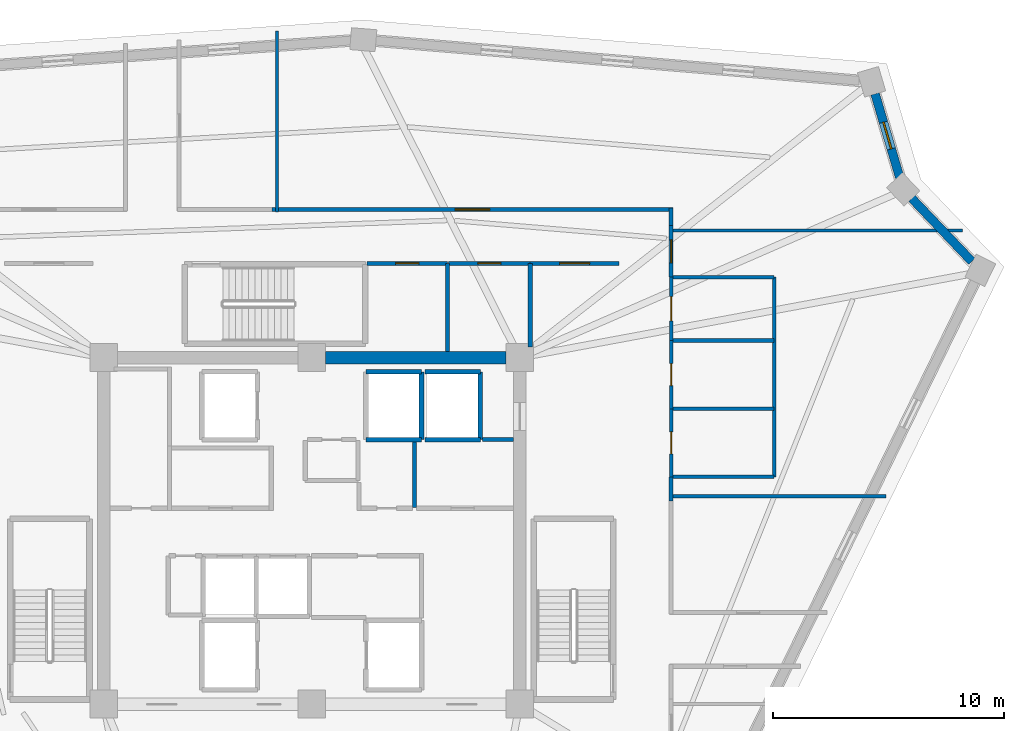
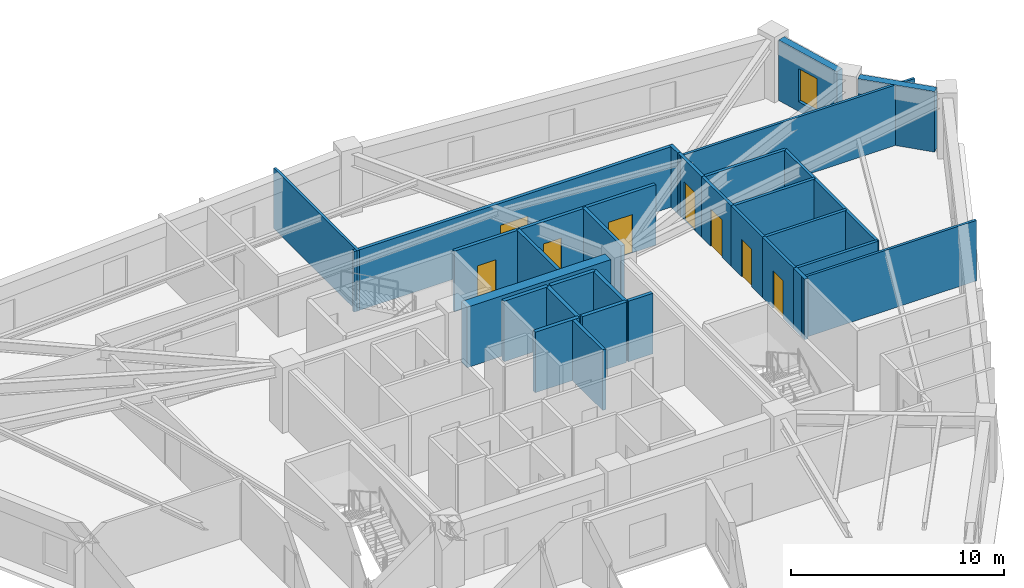
# One storey, part 6 of 8: 31 walls, 8 doors, 1 window, 9 openings.
"""IFC4 building model written with IfcOpenShell, lengths in metres."""

from ifc_helpers import new_model, si_unit, direction, frame, frame_2d, origin, place, context, subcontext, project, spatial, rectangle, extrude, source, transform, mapped, material, layer, layer_set, type_object, element, fill, save


model = new_model("IFC4")

# Units and contexts
model_context = context("Model", 3, precision=1e-05, world=origin(), true_north=direction((0.0, 1.0)))
body_context = subcontext(model_context, "Body", "Model", "MODEL_VIEW")
ifc_project = project(units=[si_unit("LENGTHUNIT", "METRE"), si_unit("AREAUNIT", "SQUARE_METRE"), si_unit("VOLUMEUNIT", "CUBIC_METRE"), si_unit("PLANEANGLEUNIT", "RADIAN"), si_unit("MASSUNIT", "GRAM", prefix="KILO")], contexts=[model_context])

# Site, building, storey
site_placement = place(None, origin())
site = spatial("IfcSite", under=ifc_project, at=site_placement, CompositionType="ELEMENT")
building_placement = place(site_placement, origin())
building = spatial("IfcBuilding", under=site, at=building_placement, Name="Liaohun Quay Tower", CompositionType="ELEMENT")
storey_placement = place(building_placement, frame((0.0, 0.0, 347.25)))
storey = spatial("IfcBuildingStorey", under=building, at=storey_placement, Name="L90", CompositionType="ELEMENT", Elevation=347.25)

# Walls
ifc_material_1 = material(Name="Concrete C50", Category="concrete")
ifc_layer_1 = layer(ifc_material_1, 0.550048828125, Name="Concrete C50", Category="concrete")
ifc_layer_set_1 = layer_set([ifc_layer_1], Name="Concrete C50")
wall_type_1 = type_object("IfcWallType", Name="WAL-COR-Z4", PredefinedType="SHEAR", material=ifc_layer_set_1)
wall_1_placement = place(storey_placement, frame((60.60009765625, 61.5, 0.0), z_axis=(0.0, 0.0, 1.0), x_axis=(1.0, 0.0, 0.0)))
element("IfcWall", 1, at=wall_1_placement, inside=storey, type_object=wall_type_1, Name="L90 Central Core Shear Wall N-E", PredefinedType="SHEAR", context=body_context, shape_type="SweptSolid", body=[
    extrude(rectangle(XDim=7.7998046875, YDim=0.550048828125, at=frame_2d((3.89990234375, 0.0))), origin(), (0.0, 0.0, 1.0), 3.469970703125),
])
ifc_material_2 = material(Name="Precast concrete C50 insulated sandwich", Category="concrete")
ifc_layer_2 = layer(ifc_material_2, 0.3798828125, Name="Precast concrete C50 insulated sandwich", Category="concrete")
ifc_layer_set_2 = layer_set([ifc_layer_2], Name="Precast concrete C50 insulated sandwich")
wall_type_2 = type_object("IfcWallType", Name="WAL-EXT-Z34", PredefinedType="SOLIDWALL", material=ifc_layer_set_2)
wall_2_placement = place(storey_placement, frame((88.573974609375, 65.6669921875, 0.0), z_axis=(0.0, 0.0, 1.0), x_axis=(-0.689475358223, 0.72430914008, 0.0)))
element("IfcWall", 2, at=wall_2_placement, inside=storey, type_object=wall_type_2, Name="L90 Brutalist Precast Pier Wall 04", PredefinedType="SOLIDWALL", context=body_context, shape_type="SweptSolid", body=[
    extrude(rectangle(XDim=3.763671875, YDim=0.3798828125, at=frame_2d((1.8818359375, 0.0))), origin(), (0.0, 0.0, 1.0), 3.469970703125),
])

# Wall, opening, window
wall_3_placement = place(storey_placement, frame((85.4541015625, 69.302001953125, 0.0), z_axis=(0.0, 0.0, 1.0), x_axis=(-0.282670922676, 0.95921694599, 0.0)))
wall_3 = element("IfcWall", 3, at=wall_3_placement, inside=storey, type_object=wall_type_2, Name="L90 Brutalist Precast Pier Wall 05", PredefinedType="SOLIDWALL", context=body_context, shape_type="SweptSolid", body=[
    extrude(rectangle(XDim=3.771728515625, YDim=0.3798828125, at=frame_2d((1.8857421875, 0.0))), origin(), (0.0, 0.0, 1.0), 3.469970703125),
])
shared_shape_1 = source(origin(), body_context, "Body", "SweptSolid", [
    extrude(rectangle(XDim=1.199951171875, YDim=1.89990234375, at=frame_2d((0.60009765625, 0.949951171875))), frame((0.0, 0.199951171875, 0.0), z_axis=(0.0, -1.0, 0.0), x_axis=(1.0, 0.0, 0.0)), (0.0, 0.0, 1.0), 0.39990234375),
])
opening_1_placement = place(wall_3_placement, frame((1.285888671875, 0.0, 0.550048828125)))
opening_1 = element("IfcOpeningElement", 4, at=opening_1_placement, cuts=wall_3, Name="Opening W05", PredefinedType="OPENING", context=body_context, shape_type="MappedRepresentation", body=[
    mapped(shared_shape_1, transform((0.0, 0.0, 0.0), x_axis=(1.0, 0.0, 0.0), y_axis=(0.0, 1.0, 0.0), z_axis=(0.0, 0.0, 1.0), scale=1.0)),
])
ifc_material_3 = material(Name="Triple Low-E corner notch glazing", Category="glass")
window_type = type_object("IfcWindowType", Name="WIN-NOTCH", PartitioningType="SINGLE_PANEL", PredefinedType="WINDOW", material=ifc_material_3)
shared_shape_2 = source(origin(), body_context, "Body", "SweptSolid", [
    extrude(rectangle(XDim=1.199951171875, YDim=1.89990234375, at=frame_2d((0.60009765625, 0.949951171875))), frame((0.0, 0.030029296875, 0.0), z_axis=(0.0, -1.0, 0.0), x_axis=(1.0, 0.0, 0.0)), (0.0, 0.0, 1.0), 0.06005859375),
])
window_placement = place(opening_1_placement, origin())
window = element("IfcWindow", 5, at=window_placement, inside=storey, type_object=window_type, Name="L90 Corner Notch Window W05-05", OverallHeight=1.89990234375, OverallWidth=1.199951171875, PartitioningType="SINGLE_PANEL", PredefinedType="WINDOW", context=body_context, shape_type="MappedRepresentation", body=[
    mapped(shared_shape_2, transform((0.0, 0.0, 0.0), x_axis=(1.0, 0.0, 0.0), y_axis=(0.0, 1.0, 0.0), z_axis=(0.0, 0.0, 1.0), scale=1.0)),
])
fill(opening_1, window)

# Wall, opening, door
ifc_material_4 = material(Name="Autoclaved aerated concrete blockwork", Category="masonry")
ifc_layer_3 = layer(ifc_material_4, 0.179931640625, Name="Autoclaved aerated concrete blockwork", Category="masonry")
ifc_layer_set_3 = layer_set([ifc_layer_3], Name="Autoclaved aerated concrete blockwork")
wall_type_3 = type_object("IfcWallType", Name="WAL-PRT-COR", PredefinedType="PARTITIONING", material=ifc_layer_set_3)
wall_4_placement = place(storey_placement, frame((62.389892578125, 65.580078125, 0.0), z_axis=(0.0, 0.0, 1.0), x_axis=(1.0, 0.0, 0.0)))
wall_4 = element("IfcWall", 6, at=wall_4_placement, inside=storey, type_object=wall_type_3, Name="L90 Interior Partition Wall 011", PredefinedType="PARTITIONING", context=body_context, shape_type="SweptSolid", body=[
    extrude(rectangle(XDim=3.489990234375, YDim=0.179931640625, at=frame_2d((1.7451171875, 0.0))), origin(), (0.0, 0.0, 1.0), 3.469970703125),
])
shared_shape_3 = source(origin(), body_context, "Body", "SweptSolid", [
    extrude(rectangle(XDim=1.0, YDim=2.199951171875, at=frame_2d((0.5, 1.10009765625))), frame((0.0, 0.099853515625, 0.0), z_axis=(0.0, -1.0, 0.0), x_axis=(1.0, 0.0, 0.0)), (0.0, 0.0, 1.0), 0.199951171875),
])
opening_2_placement = place(wall_4_placement, frame((1.2451171875, 0.0, 0.0)))
opening_2 = element("IfcOpeningElement", 7, at=opening_2_placement, cuts=wall_4, Name="Opening OD1", PredefinedType="OPENING", context=body_context, shape_type="MappedRepresentation", body=[
    mapped(shared_shape_3, transform((0.0, 0.0, 0.0), x_axis=(1.0, 0.0, 0.0), y_axis=(0.0, 1.0, 0.0), z_axis=(0.0, 0.0, 1.0), scale=1.0)),
])
ifc_material_5 = material(Name="Solid-core oak veneer timber leaf in steel frame", Category="steel")
door_type_1 = type_object("IfcDoorType", Name="DOR-OFF-1000", OperationType="NOTDEFINED", PredefinedType="DOOR", material=ifc_material_5)
shared_shape_4 = source(origin(), body_context, "Body", "SweptSolid", [
    extrude(rectangle(XDim=1.0, YDim=2.199951171875, at=frame_2d((0.5, 1.10009765625))), frame((0.0, 0.02490234375, 0.0), z_axis=(0.0, -1.0, 0.0), x_axis=(1.0, 0.0, 0.0)), (0.0, 0.0, 1.0), 0.050048828125),
])
door_1_placement = place(opening_2_placement, origin())
door_1 = element("IfcDoor", 8, at=door_1_placement, inside=storey, type_object=door_type_1, Name="L90 North-East Archive Store Door", OperationType="SINGLE_SWING_RIGHT", OverallHeight=2.199951171875, OverallWidth=1.0, PredefinedType="DOOR", context=body_context, shape_type="MappedRepresentation", body=[
    mapped(shared_shape_4, transform((0.0, 0.0, 0.0), x_axis=(1.0, 0.0, 0.0), y_axis=(0.0, 1.0, 0.0), z_axis=(0.0, 0.0, 1.0), scale=1.0)),
])
fill(opening_2, door_1)

wall_5_placement = place(storey_placement, frame((65.919921875, 65.580078125, 0.0), z_axis=(0.0, 0.0, 1.0), x_axis=(1.0, 0.0, 0.0)))
wall_5 = element("IfcWall", 9, at=wall_5_placement, inside=storey, type_object=wall_type_3, Name="L90 Interior Partition Wall 012", PredefinedType="PARTITIONING", context=body_context, shape_type="SweptSolid", body=[
    extrude(rectangle(XDim=3.5400390625, YDim=0.179931640625, at=frame_2d((1.77001953125, 0.0))), origin(), (0.0, 0.0, 1.0), 3.469970703125),
])
opening_3_placement = place(wall_5_placement, frame((1.27001953125, 0.0, 0.0)))
opening_3 = element("IfcOpeningElement", 10, at=opening_3_placement, cuts=wall_5, Name="Opening OD1", PredefinedType="OPENING", context=body_context, shape_type="MappedRepresentation", body=[
    mapped(shared_shape_3, transform((0.0, 0.0, 0.0), x_axis=(1.0, 0.0, 0.0), y_axis=(0.0, 1.0, 0.0), z_axis=(0.0, 0.0, 1.0), scale=1.0)),
])
door_2_placement = place(opening_3_placement, origin())
door_2 = element("IfcDoor", 11, at=door_2_placement, inside=storey, type_object=door_type_1, Name="L90 North-East Pantry Room Door", OperationType="SINGLE_SWING_LEFT", OverallHeight=2.199951171875, OverallWidth=1.0, PredefinedType="DOOR", context=body_context, shape_type="MappedRepresentation", body=[
    mapped(shared_shape_4, transform((0.0, 0.0, 0.0), x_axis=(1.0, 0.0, 0.0), y_axis=(0.0, 1.0, 0.0), z_axis=(0.0, 0.0, 1.0), scale=1.0)),
])
fill(opening_3, door_2)

wall_6_placement = place(storey_placement, frame((69.4599609375, 65.580078125, 0.0), z_axis=(0.0, 0.0, 1.0), x_axis=(1.0, 0.0, 0.0)))
wall_6 = element("IfcWall", 12, at=wall_6_placement, inside=storey, type_object=wall_type_3, Name="L90 Interior Partition Wall 014", PredefinedType="PARTITIONING", context=body_context, shape_type="SweptSolid", body=[
    extrude(rectangle(XDim=3.840087890625, YDim=0.179931640625, at=frame_2d((1.919921875, 0.0))), origin(), (0.0, 0.0, 1.0), 3.469970703125),
])
shared_shape_5 = source(origin(), body_context, "Body", "SweptSolid", [
    extrude(rectangle(XDim=1.300048828125, YDim=2.199951171875, at=frame_2d((0.64990234375, 1.10009765625))), frame((0.0, 0.099853515625, 0.0), z_axis=(0.0, -1.0, 0.0), x_axis=(1.0, 0.0, 0.0)), (0.0, 0.0, 1.0), 0.199951171875),
])
opening_4_placement = place(wall_6_placement, frame((1.27001953125, 0.0, 0.0)))
opening_4 = element("IfcOpeningElement", 13, at=opening_4_placement, cuts=wall_6, Name="Opening FD1", PredefinedType="OPENING", context=body_context, shape_type="MappedRepresentation", body=[
    mapped(shared_shape_5, transform((0.0, 0.0, 0.0), x_axis=(1.0, 0.0, 0.0), y_axis=(0.0, 1.0, 0.0), z_axis=(0.0, 0.0, 1.0), scale=1.0)),
])
ifc_material_6 = material(Name="Galvanised steel smokeproof fire door", Category="steel")
door_type_2 = type_object("IfcDoorType", Name="DOR-FFL-1300", OperationType="NOTDEFINED", PredefinedType="DOOR", material=ifc_material_6)
shared_shape_6 = source(origin(), body_context, "Body", "SweptSolid", [
    extrude(rectangle(XDim=1.300048828125, YDim=2.199951171875, at=frame_2d((0.64990234375, 1.10009765625))), frame((0.0, 0.02490234375, 0.0), z_axis=(0.0, -1.0, 0.0), x_axis=(1.0, 0.0, 0.0)), (0.0, 0.0, 1.0), 0.050048828125),
])
door_3_placement = place(opening_4_placement, origin())
door_3 = element("IfcDoor", 14, at=door_3_placement, inside=storey, type_object=door_type_2, Name="L90 East Core Vestibule Door", OperationType="SINGLE_SWING_LEFT", OverallHeight=2.199951171875, OverallWidth=1.300048828125, PredefinedType="DOOR", context=body_context, shape_type="MappedRepresentation", body=[
    mapped(shared_shape_6, transform((0.0, 0.0, 0.0), x_axis=(1.0, 0.0, 0.0), y_axis=(0.0, 1.0, 0.0), z_axis=(0.0, 0.0, 1.0), scale=1.0)),
])
fill(opening_4, door_3)

wall_7_placement = place(storey_placement, frame((75.56005859375, 67.215087890625, 0.0), z_axis=(0.0, 0.0, 1.0), x_axis=(0.0, -1.0, 0.0)))
wall_7 = element("IfcWall", 15, at=wall_7_placement, inside=storey, type_object=wall_type_3, Name="L90 Interior Partition Wall 015", PredefinedType="PARTITIONING", context=body_context, shape_type="SweptSolid", body=[
    extrude(rectangle(XDim=2.235107421875, YDim=0.179931640625, at=frame_2d((1.11767578125, 0.0))), origin(), (0.0, 0.0, 1.0), 3.469970703125),
])
opening_5_placement = place(wall_7_placement, frame((0.616943359375, 0.0, 0.0)))
opening_5 = element("IfcOpeningElement", 16, at=opening_5_placement, cuts=wall_7, Name="Opening OD1", PredefinedType="OPENING", context=body_context, shape_type="MappedRepresentation", body=[
    mapped(shared_shape_3, transform((0.0, 0.0, 0.0), x_axis=(1.0, 0.0, 0.0), y_axis=(0.0, 1.0, 0.0), z_axis=(0.0, 0.0, 1.0), scale=1.0)),
])
door_4_placement = place(opening_5_placement, origin())
door_4 = element("IfcDoor", 17, at=door_4_placement, inside=storey, type_object=door_type_1, Name="L90 Client Collaboration Lounge 01 Door", OperationType="SINGLE_SWING_RIGHT", OverallHeight=2.199951171875, OverallWidth=1.0, PredefinedType="DOOR", context=body_context, shape_type="MappedRepresentation", body=[
    mapped(shared_shape_4, transform((0.0, 0.0, 0.0), x_axis=(1.0, 0.0, 0.0), y_axis=(0.0, 1.0, 0.0), z_axis=(0.0, 0.0, 1.0), scale=1.0)),
])
fill(opening_5, door_4)

wall_8_placement = place(storey_placement, frame((58.284912109375, 67.909912109375, 0.0), z_axis=(0.0, 0.0, 1.0), x_axis=(1.0, 0.0, 0.0)))
wall_8 = element("IfcWall", 18, at=wall_8_placement, inside=storey, type_object=wall_type_3, Name="L90 Interior Partition Wall 016", PredefinedType="PARTITIONING", context=body_context, shape_type="SweptSolid", body=[
    extrude(rectangle(XDim=17.344970703125, YDim=0.179931640625, at=frame_2d((8.67236328125, 0.0))), origin(), (0.0, 0.0, 1.0), 3.469970703125),
])
shared_shape_7 = source(origin(), body_context, "Body", "SweptSolid", [
    extrude(rectangle(XDim=1.5, YDim=2.199951171875, at=frame_2d((0.75, 1.10009765625))), frame((0.0, 0.099853515625, 0.0), z_axis=(0.0, -1.0, 0.0), x_axis=(1.0, 0.0, 0.0)), (0.0, 0.0, 1.0), 0.199951171875),
])
opening_6_placement = place(wall_8_placement, frame((7.922119140625, 0.0, 0.0)))
opening_6 = element("IfcOpeningElement", 19, at=opening_6_placement, cuts=wall_8, Name="Opening OD2", PredefinedType="OPENING", context=body_context, shape_type="MappedRepresentation", body=[
    mapped(shared_shape_7, transform((0.0, 0.0, 0.0), x_axis=(1.0, 0.0, 0.0), y_axis=(0.0, 1.0, 0.0), z_axis=(0.0, 0.0, 1.0), scale=1.0)),
])
ifc_material_7 = material(Name="Acoustic oak veneer double door")
door_type_3 = type_object("IfcDoorType", Name="DOR-OFF-1500", OperationType="DOUBLE_DOOR_SINGLE_SWING", PredefinedType="DOOR", material=ifc_material_7)
shared_shape_8 = source(origin(), body_context, "Body", "SweptSolid", [
    extrude(rectangle(XDim=1.5, YDim=2.199951171875, at=frame_2d((0.75, 1.10009765625))), frame((0.0, 0.02490234375, 0.0), z_axis=(0.0, -1.0, 0.0), x_axis=(1.0, 0.0, 0.0)), (0.0, 0.0, 1.0), 0.050048828125),
])
door_5_placement = place(opening_6_placement, origin())
door_5 = element("IfcDoor", 20, at=door_5_placement, inside=storey, type_object=door_type_3, Name="L90 Corporate Exhibition Gallery 02 Door", OperationType="DOUBLE_DOOR_SINGLE_SWING", OverallHeight=2.199951171875, OverallWidth=1.5, PredefinedType="DOOR", context=body_context, shape_type="MappedRepresentation", body=[
    mapped(shared_shape_8, transform((0.0, 0.0, 0.0), x_axis=(1.0, 0.0, 0.0), y_axis=(0.0, 1.0, 0.0), z_axis=(0.0, 0.0, 1.0), scale=1.0)),
])
fill(opening_6, door_5)

# Walls
wall_9_placement = place(storey_placement, frame((64.449951171875, 55.02001953125, 0.0), z_axis=(0.0, 0.0, 1.0), x_axis=(0.0, 1.0, 0.0)))
element("IfcWall", 21, at=wall_9_placement, inside=storey, type_object=wall_type_3, Name="L90 Interior Partition Wall 026", PredefinedType="PARTITIONING", context=body_context, shape_type="SweptSolid", body=[
    extrude(rectangle(XDim=2.85986328125, YDim=0.179931640625, at=frame_2d((1.429931640625, 0.0))), origin(), (0.0, 0.0, 1.0), 3.469970703125),
])
wall_10_placement = place(storey_placement, frame((65.8798828125, 61.77490234375, 0.0), z_axis=(0.0, 0.0, 1.0), x_axis=(0.0, 1.0, 0.0)))
element("IfcWall", 22, at=wall_10_placement, inside=storey, type_object=wall_type_3, Name="L90 Interior Partition Wall 037", PredefinedType="PARTITIONING", context=body_context, shape_type="SweptSolid", body=[
    extrude(rectangle(XDim=3.80517578125, YDim=0.179931640625, at=frame_2d((1.902587890625, 0.0))), origin(), (0.0, 0.0, 1.0), 3.469970703125),
])
wall_11_placement = place(storey_placement, frame((69.4599609375, 61.949951171875, 0.0), z_axis=(0.0, 0.0, 1.0), x_axis=(0.0, 1.0, 0.0)))
element("IfcWall", 23, at=wall_11_placement, inside=storey, type_object=wall_type_3, Name="L90 Interior Partition Wall 038", PredefinedType="PARTITIONING", context=body_context, shape_type="SweptSolid", body=[
    extrude(rectangle(XDim=3.630126953125, YDim=0.179931640625, at=frame_2d((1.81494140625, 0.0))), origin(), (0.0, 0.0, 1.0), 3.469970703125),
])
wall_12_placement = place(storey_placement, frame((75.56005859375, 56.340087890625, 0.0), z_axis=(0.0, 0.0, 1.0), x_axis=(0.0, -1.0, 0.0)))
element("IfcWall", 24, at=wall_12_placement, inside=storey, type_object=wall_type_3, Name="L90 Interior Partition Wall 039", PredefinedType="PARTITIONING", context=body_context, shape_type="SweptSolid", body=[
    extrude(rectangle(XDim=1.05517578125, YDim=0.179931640625, at=frame_2d((0.527587890625, 0.0))), origin(), (0.0, 0.0, 1.0), 3.469970703125),
])
wall_13_placement = place(storey_placement, frame((75.56005859375, 67.97998046875, 0.0), z_axis=(0.0, 0.0, 1.0), x_axis=(0.0, -1.0, 0.0)))
element("IfcWall", 25, at=wall_13_placement, inside=storey, type_object=wall_type_3, Name="L90 Interior Partition Wall 040", PredefinedType="PARTITIONING", context=body_context, shape_type="SweptSolid", body=[
    extrude(rectangle(XDim=0.764892578125, YDim=0.179931640625, at=frame_2d((0.38232421875, 0.0))), origin(), (0.0, 0.0, 1.0), 3.469970703125),
])
wall_14_placement = place(storey_placement, frame((67.39990234375, 57.949951171875, 0.0), z_axis=(0.0, 0.0, 1.0), x_axis=(1.0, 0.0, 0.0)))
element("IfcWall", 26, at=wall_14_placement, inside=storey, type_object=wall_type_3, Name="L90 Interior Partition Wall 066", PredefinedType="PARTITIONING", context=body_context, shape_type="SweptSolid", body=[
    extrude(rectangle(XDim=1.3251953125, YDim=0.179931640625, at=frame_2d((0.66259765625, 0.0))), origin(), (0.0, 0.0, 1.0), 3.469970703125),
])
ifc_material_8 = material(Name="Gypsum board on twin steel studs", Category="steel")
ifc_layer_4 = layer(ifc_material_8, 0.139892578125, Name="Gypsum board on twin steel studs", Category="steel")
ifc_layer_set_4 = layer_set([ifc_layer_4], Name="Gypsum board on twin steel studs")
wall_type_4 = type_object("IfcWallType", Name="WAL-PRT-OFF", PredefinedType="PARTITIONING", material=ifc_layer_set_4)
wall_15_placement = place(storey_placement, frame((75.4599609375, 55.5, 0.0), z_axis=(0.0, 0.0, 1.0), x_axis=(1.0, 0.0, 0.0)))
element("IfcWall", 27, at=wall_15_placement, inside=storey, type_object=wall_type_4, Name="L90 Interior Partition Wall 054", PredefinedType="PARTITIONING", context=body_context, shape_type="SweptSolid", body=[
    extrude(rectangle(XDim=9.41015625, YDim=0.139892578125, at=frame_2d((4.705078125, 0.0))), origin(), (0.0, 0.0, 1.0), 3.469970703125),
])
wall_16_placement = place(storey_placement, frame((75.4599609375, 67.0, 0.0), z_axis=(0.0, 0.0, 1.0), x_axis=(1.0, 0.0, 0.0)))
element("IfcWall", 28, at=wall_16_placement, inside=storey, type_object=wall_type_4, Name="L90 Interior Partition Wall 055", PredefinedType="PARTITIONING", context=body_context, shape_type="SweptSolid", body=[
    extrude(rectangle(XDim=12.715087890625, YDim=0.139892578125, at=frame_2d((6.357421875, 0.0))), origin(), (0.0, 0.0, 1.0), 3.469970703125),
])
wall_17_placement = place(storey_placement, frame((58.5, 67.81005859375, 0.0), z_axis=(0.0, 0.0, 1.0), x_axis=(0.0, 1.0, 0.0)))
element("IfcWall", 29, at=wall_17_placement, inside=storey, type_object=wall_type_4, Name="L90 Interior Partition Wall 056", PredefinedType="PARTITIONING", context=body_context, shape_type="SweptSolid", body=[
    extrude(rectangle(XDim=7.825927734375, YDim=0.139892578125, at=frame_2d((3.9130859375, 0.0))), origin(), (0.0, 0.0, 1.0), 3.469970703125),
])

# Wall, opening, door
ifc_material_9 = material(Name="Moisture-resistant masonry blockwork", Category="masonry")
ifc_layer_5 = layer(ifc_material_9, 0.159912109375, Name="Moisture-resistant masonry blockwork", Category="masonry")
ifc_layer_set_5 = layer_set([ifc_layer_5], Name="Moisture-resistant masonry blockwork")
wall_type_5 = type_object("IfcWallType", Name="WAL-PRT-WET", PredefinedType="PARTITIONING", material=ifc_layer_set_5)
wall_18_placement = place(storey_placement, frame((75.56005859375, 56.340087890625, 0.0), z_axis=(0.0, 0.0, 1.0), x_axis=(0.0, 1.0, 0.0)))
wall_18 = element("IfcWall", 30, at=wall_18_placement, inside=storey, type_object=wall_type_5, Name="L90 Interior Partition Wall 008", PredefinedType="PARTITIONING", context=body_context, shape_type="SweptSolid", body=[
    extrude(rectangle(XDim=2.93994140625, YDim=0.159912109375, at=frame_2d((1.469970703125, 0.0))), origin(), (0.0, 0.0, 1.0), 3.469970703125),
])
shared_shape_9 = source(origin(), body_context, "Body", "SweptSolid", [
    extrude(rectangle(XDim=0.949951171875, YDim=2.14990234375, at=frame_2d((0.47509765625, 1.074951171875))), frame((0.0, 0.08984375, 0.0), z_axis=(0.0, -1.0, 0.0), x_axis=(1.0, 0.0, 0.0)), (0.0, 0.0, 1.0), 0.179931640625),
])
opening_7_placement = place(wall_18_placement, frame((0.9951171875, 0.0, 0.0)))
opening_7 = element("IfcOpeningElement", 31, at=opening_7_placement, cuts=wall_18, Name="Opening WD1", PredefinedType="OPENING", context=body_context, shape_type="MappedRepresentation", body=[
    mapped(shared_shape_9, transform((0.0, 0.0, 0.0), x_axis=(1.0, 0.0, 0.0), y_axis=(0.0, 1.0, 0.0), z_axis=(0.0, 0.0, 1.0), scale=1.0)),
])
ifc_material_10 = material(Name="Moisture-resistant laminate timber leaf", Category="wood")
door_type_4 = type_object("IfcDoorType", Name="DOR-WC-950", OperationType="NOTDEFINED", PredefinedType="DOOR", material=ifc_material_10)
shared_shape_10 = source(origin(), body_context, "Body", "SweptSolid", [
    extrude(rectangle(XDim=0.949951171875, YDim=2.14990234375, at=frame_2d((0.47509765625, 1.074951171875))), frame((0.0, 0.02490234375, 0.0), z_axis=(0.0, -1.0, 0.0), x_axis=(1.0, 0.0, 0.0)), (0.0, 0.0, 1.0), 0.050048828125),
])
door_6_placement = place(opening_7_placement, origin())
door_6 = element("IfcDoor", 32, at=door_6_placement, inside=storey, type_object=door_type_4, Name="L90 Male Restroom WC Door", OperationType="SINGLE_SWING_LEFT", OverallHeight=2.14990234375, OverallWidth=0.949951171875, PredefinedType="DOOR", context=body_context, shape_type="MappedRepresentation", body=[
    mapped(shared_shape_10, transform((0.0, 0.0, 0.0), x_axis=(1.0, 0.0, 0.0), y_axis=(0.0, 1.0, 0.0), z_axis=(0.0, 0.0, 1.0), scale=1.0)),
])
fill(opening_7, door_6)

wall_19_placement = place(storey_placement, frame((75.56005859375, 59.280029296875, 0.0), z_axis=(0.0, 0.0, 1.0), x_axis=(0.0, 1.0, 0.0)))
wall_19 = element("IfcWall", 33, at=wall_19_placement, inside=storey, type_object=wall_type_5, Name="L90 Interior Partition Wall 009", PredefinedType="PARTITIONING", context=body_context, shape_type="SweptSolid", body=[
    extrude(rectangle(XDim=2.9599609375, YDim=0.159912109375, at=frame_2d((1.47998046875, 0.0))), origin(), (0.0, 0.0, 1.0), 3.469970703125),
])
opening_8_placement = place(wall_19_placement, frame((1.0048828125, 0.0, 0.0)))
opening_8 = element("IfcOpeningElement", 34, at=opening_8_placement, cuts=wall_19, Name="Opening WD1", PredefinedType="OPENING", context=body_context, shape_type="MappedRepresentation", body=[
    mapped(shared_shape_9, transform((0.0, 0.0, 0.0), x_axis=(1.0, 0.0, 0.0), y_axis=(0.0, 1.0, 0.0), z_axis=(0.0, 0.0, 1.0), scale=1.0)),
])
door_7_placement = place(opening_8_placement, origin())
door_7 = element("IfcDoor", 35, at=door_7_placement, inside=storey, type_object=door_type_4, Name="L90 Female Restroom WC Door", OperationType="SINGLE_SWING_RIGHT", OverallHeight=2.14990234375, OverallWidth=0.949951171875, PredefinedType="DOOR", context=body_context, shape_type="MappedRepresentation", body=[
    mapped(shared_shape_10, transform((0.0, 0.0, 0.0), x_axis=(1.0, 0.0, 0.0), y_axis=(0.0, 1.0, 0.0), z_axis=(0.0, 0.0, 1.0), scale=1.0)),
])
fill(opening_8, door_7)

wall_20_placement = place(storey_placement, frame((75.56005859375, 62.239990234375, 0.0), z_axis=(0.0, 0.0, 1.0), x_axis=(0.0, 1.0, 0.0)))
wall_20 = element("IfcWall", 36, at=wall_20_placement, inside=storey, type_object=wall_type_5, Name="L90 Interior Partition Wall 010", PredefinedType="PARTITIONING", context=body_context, shape_type="SweptSolid", body=[
    extrude(rectangle(XDim=2.739990234375, YDim=0.159912109375, at=frame_2d((1.3701171875, 0.0))), origin(), (0.0, 0.0, 1.0), 3.469970703125),
])
shared_shape_11 = source(origin(), body_context, "Body", "SweptSolid", [
    extrude(rectangle(XDim=1.050048828125, YDim=2.14990234375, at=frame_2d((0.52490234375, 1.074951171875))), frame((0.0, 0.08984375, 0.0), z_axis=(0.0, -1.0, 0.0), x_axis=(1.0, 0.0, 0.0)), (0.0, 0.0, 1.0), 0.179931640625),
])
opening_9_placement = place(wall_20_placement, frame((0.844970703125, 0.0, 0.0)))
opening_9 = element("IfcOpeningElement", 37, at=opening_9_placement, cuts=wall_20, Name="Opening WD2", PredefinedType="OPENING", context=body_context, shape_type="MappedRepresentation", body=[
    mapped(shared_shape_11, transform((0.0, 0.0, 0.0), x_axis=(1.0, 0.0, 0.0), y_axis=(0.0, 1.0, 0.0), z_axis=(0.0, 0.0, 1.0), scale=1.0)),
])
ifc_material_11 = material(Name="Accessible outward-swinging laminate door")
door_type_5 = type_object("IfcDoorType", Name="DOR-AWC-1050", OperationType="NOTDEFINED", PredefinedType="DOOR", material=ifc_material_11)
shared_shape_12 = source(origin(), body_context, "Body", "SweptSolid", [
    extrude(rectangle(XDim=1.050048828125, YDim=2.14990234375, at=frame_2d((0.52490234375, 1.074951171875))), frame((0.0, 0.02490234375, 0.0), z_axis=(0.0, -1.0, 0.0), x_axis=(1.0, 0.0, 0.0)), (0.0, 0.0, 1.0), 0.050048828125),
])
door_8_placement = place(opening_9_placement, origin())
door_8 = element("IfcDoor", 38, at=door_8_placement, inside=storey, type_object=door_type_5, Name="L90 Accessible WC Door", OperationType="SINGLE_SWING_LEFT", OverallHeight=2.14990234375, OverallWidth=1.050048828125, PredefinedType="DOOR", context=body_context, shape_type="MappedRepresentation", body=[
    mapped(shared_shape_12, transform((0.0, 0.0, 0.0), x_axis=(1.0, 0.0, 0.0), y_axis=(0.0, 1.0, 0.0), z_axis=(0.0, 0.0, 1.0), scale=1.0)),
])
fill(opening_9, door_8)

# Walls
wall_21_placement = place(storey_placement, frame((80.02001953125, 56.340087890625, 0.0), z_axis=(0.0, 0.0, 1.0), x_axis=(0.0, 1.0, 0.0)))
element("IfcWall", 39, at=wall_21_placement, inside=storey, type_object=wall_type_5, Name="L90 Interior Partition Wall 032", PredefinedType="PARTITIONING", context=body_context, shape_type="SweptSolid", body=[
    extrude(rectangle(XDim=8.639892578125, YDim=0.159912109375, at=frame_2d((4.31982421875, 0.0))), origin(), (0.0, 0.0, 1.0), 3.469970703125),
])
for number, where, z_axis, x_axis, name in (
    (40, (75.56005859375, 56.340087890625, 0.0), (0.0, 0.0, 1.0), (1.0, 0.0, 0.0), "L90 Interior Partition Wall 033"),
    (41, (75.56005859375, 59.280029296875, 0.0), (0.0, 0.0, 1.0), (1.0, 0.0, 0.0), "L90 Interior Partition Wall 034"),
    (42, (75.56005859375, 62.239990234375, 0.0), (0.0, 0.0, 1.0), (1.0, 0.0, 0.0), "L90 Interior Partition Wall 035"),
    (43, (75.56005859375, 64.97998046875, 0.0), (0.0, 0.0, 1.0), (1.0, 0.0, 0.0), "L90 Interior Partition Wall 036"),
):
    element("IfcWall", number, at=place(storey_placement, frame(where, z_axis=z_axis, x_axis=x_axis)), inside=storey, type_object=wall_type_5, Name=name, PredefinedType="PARTITIONING", context=body_context, shape_type="SweptSolid", body=[
        extrude(rectangle(XDim=4.4599609375, YDim=0.159912109375, at=frame_2d((2.22998046875, 0.0))), origin(), (0.0, 0.0, 1.0), 3.469970703125),
    ])
ifc_layer_6 = layer(ifc_material_1, 0.239990234375, Name="Concrete C50", Category="concrete")
ifc_layer_set_6 = layer_set([ifc_layer_6], Name="Concrete C50")
wall_type_6 = type_object("IfcWallType", Name="WAL-SHF-200", PredefinedType="SOLIDWALL", material=ifc_layer_set_6)
wall_22_placement = place(storey_placement, frame((62.35009765625, 57.949951171875, 0.0), z_axis=(0.0, 0.0, 1.0), x_axis=(1.0, 0.0, 0.0)))
element("IfcWall", 44, at=wall_22_placement, inside=storey, type_object=wall_type_6, Name="L90 Lift OB-01 Hoistway Wall S", PredefinedType="SOLIDWALL", context=body_context, shape_type="SweptSolid", body=[
    extrude(rectangle(XDim=2.39990234375, YDim=0.199951171875, at=frame_2d((1.199951171875, 0.0))), origin(), (0.0, 0.0, 1.0), 3.469970703125),
])
wall_23_placement = place(storey_placement, frame((64.75, 57.949951171875, 0.0), z_axis=(0.0, 0.0, 1.0), x_axis=(0.0, 1.0, 0.0)))
element("IfcWall", 45, at=wall_23_placement, inside=storey, type_object=wall_type_6, Name="L90 Lift OB-01 Hoistway Wall E", PredefinedType="SOLIDWALL", context=body_context, shape_type="SweptSolid", body=[
    extrude(rectangle(XDim=2.929931640625, YDim=0.199951171875, at=frame_2d((1.46484375, 0.0))), origin(), (0.0, 0.0, 1.0), 3.469970703125),
])
wall_24_placement = place(storey_placement, frame((64.75, 60.8798828125, 0.0), z_axis=(0.0, 0.0, 1.0), x_axis=(-1.0, 0.0, 0.0)))
element("IfcWall", 46, at=wall_24_placement, inside=storey, type_object=wall_type_6, Name="L90 Lift OB-01 Hoistway Wall N", PredefinedType="SOLIDWALL", context=body_context, shape_type="SweptSolid", body=[
    extrude(rectangle(XDim=2.39990234375, YDim=0.199951171875, at=frame_2d((1.199951171875, 0.0))), origin(), (0.0, 0.0, 1.0), 3.469970703125),
])
wall_25_placement = place(storey_placement, frame((64.89990234375, 57.949951171875, 0.0), z_axis=(0.0, 0.0, 1.0), x_axis=(1.0, 0.0, 0.0)))
element("IfcWall", 47, at=wall_25_placement, inside=storey, type_object=wall_type_6, Name="L90 Lift OB-02 Hoistway Wall S", PredefinedType="SOLIDWALL", context=body_context, shape_type="SweptSolid", body=[
    extrude(rectangle(XDim=2.400146484375, YDim=0.199951171875, at=frame_2d((1.2001953125, 0.0))), origin(), (0.0, 0.0, 1.0), 3.469970703125),
])
wall_26_placement = place(storey_placement, frame((67.300048828125, 57.949951171875, 0.0), z_axis=(0.0, 0.0, 1.0), x_axis=(0.0, 1.0, 0.0)))
element("IfcWall", 48, at=wall_26_placement, inside=storey, type_object=wall_type_6, Name="L90 Lift OB-02 Hoistway Wall E", PredefinedType="SOLIDWALL", context=body_context, shape_type="SweptSolid", body=[
    extrude(rectangle(XDim=2.929931640625, YDim=0.199951171875, at=frame_2d((1.46484375, 0.0))), origin(), (0.0, 0.0, 1.0), 3.469970703125),
])
wall_27_placement = place(storey_placement, frame((67.300048828125, 60.8798828125, 0.0), z_axis=(0.0, 0.0, 1.0), x_axis=(-1.0, 0.0, 0.0)))
element("IfcWall", 49, at=wall_27_placement, inside=storey, type_object=wall_type_6, Name="L90 Lift OB-02 Hoistway Wall N", PredefinedType="SOLIDWALL", context=body_context, shape_type="SweptSolid", body=[
    extrude(rectangle(XDim=2.400146484375, YDim=0.199951171875, at=frame_2d((1.2001953125, 0.0))), origin(), (0.0, 0.0, 1.0), 3.469970703125),
])

save(model, "model.ifc")
